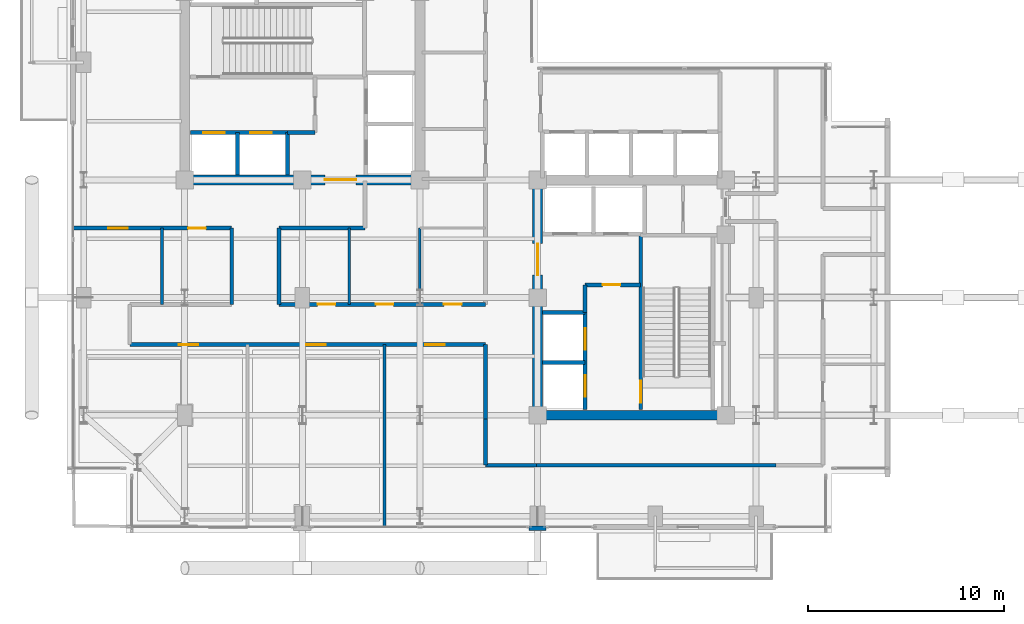
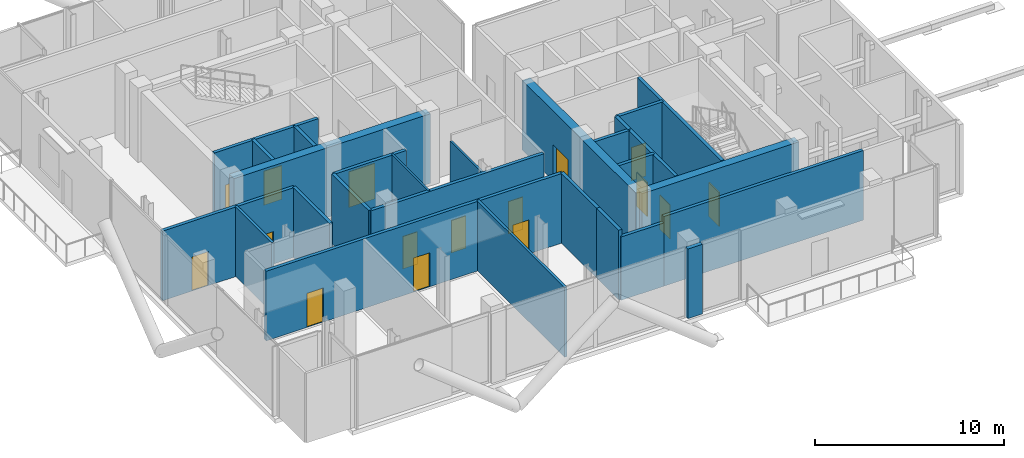
# One storey, part 17 of 22: 28 walls, 16 doors, 16 openings.
"""IFC4 building model written with IfcOpenShell, lengths in metres."""

from ifc_helpers import new_model, si_unit, direction, frame, frame_2d, origin, place, context, subcontext, project, spatial, rectangle, extrude, material, layer, layer_set, type_object, element, fill, save


model = new_model("IFC4")

# Units and contexts
model_context = context("Model", 3, precision=1e-05, world=origin(), true_north=direction((0.0, 1.0)))
body_context = subcontext(model_context, "Body", "Model", "MODEL_VIEW")
ifc_project = project(units=[si_unit("LENGTHUNIT", "METRE"), si_unit("AREAUNIT", "SQUARE_METRE"), si_unit("VOLUMEUNIT", "CUBIC_METRE"), si_unit("PLANEANGLEUNIT", "RADIAN"), si_unit("MASSUNIT", "GRAM", prefix="KILO"), si_unit("THERMODYNAMICTEMPERATUREUNIT", "KELVIN"), si_unit("POWERUNIT", "WATT")], contexts=[model_context])

# Site, building, storey
site_placement = place(None, origin())
site = spatial("IfcSite", under=ifc_project, at=site_placement, CompositionType="ELEMENT")
building_placement = place(site_placement, origin())
building = spatial("IfcBuilding", under=site, at=building_placement, Name="Svarakhadi Broadcast Tower", CompositionType="ELEMENT")
storey_placement = place(building_placement, frame((0.0, 0.0, 199.199951171875)))
storey = spatial("IfcBuildingStorey", under=building, at=storey_placement, Name="L49", CompositionType="ELEMENT", Elevation=199.199951171875)

# Walls
ifc_material_1 = material(Name="Concrete C40/50 (IS 456 M50)", Category="concrete")
ifc_layer_1 = layer(ifc_material_1, 0.239990234375)
ifc_layer_set_1 = layer_set([ifc_layer_1], Name="Concrete C40/50 (IS 456 M50)")
wall_type_1 = type_object("IfcWallType", Name="Wall_Ext_240", PredefinedType="SOLIDWALL", material=ifc_layer_set_1)
wall_1_placement = place(storey_placement, frame((24.43994140625, 0.239990234375, 0.0), z_axis=(0.0, 0.0, 1.0), x_axis=(-1.0, 0.0, 0.0)))
element("IfcWall", 1, at=wall_1_placement, inside=storey, type_object=wall_type_1, Name="L49 Perimeter Bronze Spandrel Closure Wall 03", PredefinedType="SOLIDWALL", context=body_context, shape_type="SweptSolid", body=[
    extrude(rectangle(XDim=0.8798828125, YDim=0.239990234375, at=frame_2d((0.43994140625, 0.0))), origin(), (0.0, 0.0, 1.0), 4.5),
])
ifc_layer_2 = layer(ifc_material_1, 0.199951171875)
ifc_layer_set_2 = layer_set([ifc_layer_2], Name="Concrete C40/50 (IS 456 M50)")
wall_type_2 = type_object("IfcWallType", Name="Wall_Fire_200", PredefinedType="SOLIDWALL", material=ifc_layer_set_2)
wall_2_placement = place(storey_placement, frame((36.14990234375, 3.449951171875, 0.0), z_axis=(0.0, 0.0, 1.0), x_axis=(-1.0, 0.0, 0.0)))
element("IfcWall", 2, at=wall_2_placement, inside=storey, type_object=wall_type_2, Name="L49 Zone 2/3 Corridor Wall", PredefinedType="SOLIDWALL", context=body_context, shape_type="SweptSolid", body=[
    extrude(rectangle(XDim=12.199951171875, YDim=0.199951171875, at=frame_2d((6.10009765625, 0.0))), origin(), (0.0, 0.0, 1.0), 4.5),
])
wall_3_placement = place(storey_placement, frame((23.949951171875, 3.449951171875, 0.0), z_axis=(0.0, 0.0, 1.0), x_axis=(-1.0, 0.0, 0.0)))
element("IfcWall", 3, at=wall_3_placement, inside=storey, type_object=wall_type_2, Name="L49 Zone 2/3 Corridor Wall", PredefinedType="SOLIDWALL", context=body_context, shape_type="SweptSolid", body=[
    extrude(rectangle(XDim=2.599853515625, YDim=0.199951171875, at=frame_2d((1.2998046875, 0.0))), origin(), (0.0, 0.0, 1.0), 4.092041015625),
])
wall_4_placement = place(storey_placement, frame((21.35009765625, 3.449951171875, 0.0), z_axis=(0.0, 0.0, 1.0), x_axis=(0.0, 1.0, 0.0)))
element("IfcWall", 4, at=wall_4_placement, inside=storey, type_object=wall_type_2, Name="L49 Zone 2/3 Corridor Wall", PredefinedType="SOLIDWALL", context=body_context, shape_type="SweptSolid", body=[
    extrude(rectangle(XDim=2.35009765625, YDim=0.199951171875, at=frame_2d((1.175048828125, 0.0))), origin(), (0.0, 0.0, 1.0), 4.5),
])
wall_5_placement = place(storey_placement, frame((21.35009765625, 5.800048828125, 0.0), z_axis=(0.0, 0.0, 1.0), x_axis=(0.0, 1.0, 0.0)))
element("IfcWall", 5, at=wall_5_placement, inside=storey, type_object=wall_type_2, Name="L49 Zone 2/3 Corridor Wall", PredefinedType="SOLIDWALL", context=body_context, shape_type="SweptSolid", body=[
    extrude(rectangle(XDim=3.800048828125, YDim=0.199951171875, at=frame_2d((1.89990234375, 0.0))), origin(), (0.0, 0.0, 1.0), 4.5),
])

# Wall, openings, doors
wall_6_placement = place(storey_placement, frame((21.35009765625, 9.60009765625, 0.0), z_axis=(0.0, 0.0, 1.0), x_axis=(-1.0, 0.0, 0.0)))
wall_6 = element("IfcWall", 6, at=wall_6_placement, inside=storey, type_object=wall_type_2, Name="L49 Zone 2/3 Corridor Wall", PredefinedType="SOLIDWALL", context=body_context, shape_type="SweptSolid", body=[
    extrude(rectangle(XDim=18.150146484375, YDim=0.199951171875, at=frame_2d((9.0751953125, 0.0))), origin(), (0.0, 0.0, 1.0), 4.5),
])
opening_1_placement = place(wall_6_placement, frame((14.64990234375, 0.0, 0.0)))
opening_1 = element("IfcOpeningElement", 7, at=opening_1_placement, cuts=wall_6, Name="Opening D-08", PredefinedType="OPENING", context=body_context, shape_type="SweptSolid", body=[
    extrude(rectangle(XDim=1.0, YDim=2.199951171875, at=frame_2d((0.5, 1.10009765625))), frame((0.0, 0.10986328125, 0.0), z_axis=(0.0, -1.0, 0.0), x_axis=(1.0, 0.0, 0.0)), (0.0, 0.0, 1.0), 0.219970703125),
])
opening_2_placement = place(wall_6_placement, frame((8.14990234375, 0.0, 0.0)))
opening_2 = element("IfcOpeningElement", 8, at=opening_2_placement, cuts=wall_6, Name="Opening D-09", PredefinedType="OPENING", context=body_context, shape_type="SweptSolid", body=[
    extrude(rectangle(XDim=1.0, YDim=2.199951171875, at=frame_2d((0.5, 1.10009765625))), frame((0.0, 0.10986328125, 0.0), z_axis=(0.0, -1.0, 0.0), x_axis=(1.0, 0.0, 0.0)), (0.0, 0.0, 1.0), 0.219970703125),
])
opening_3_placement = place(wall_6_placement, frame((2.074951171875, 0.0, 0.0)))
opening_3 = element("IfcOpeningElement", 9, at=opening_3_placement, cuts=wall_6, Name="Opening D-08", PredefinedType="OPENING", context=body_context, shape_type="SweptSolid", body=[
    extrude(rectangle(XDim=1.0, YDim=2.199951171875, at=frame_2d((0.5, 1.10009765625))), frame((0.0, 0.10986328125, 0.0), z_axis=(0.0, -1.0, 0.0), x_axis=(1.0, 0.0, 0.0)), (0.0, 0.0, 1.0), 0.219970703125),
])
ifc_material_2 = material(Name="Solid-Core Teak Veneer Acoustic Timber Leaf", Category="wood")
door_type_1 = type_object("IfcDoorType", Name="Door_Suite_D08", OperationType="SINGLE_SWING_LEFT", PredefinedType="DOOR", material=ifc_material_2)
door_1_placement = place(opening_1_placement, origin())
door_1 = element("IfcDoor", 10, at=door_1_placement, inside=storey, type_object=door_type_1, Name="L49 L49 Upper Sky-Lobby Harbour Observation Lounge Door", OperationType="SINGLE_SWING_LEFT", OverallHeight=2.199951171875, OverallWidth=1.0, PredefinedType="DOOR", context=body_context, shape_type="SweptSolid", body=[
    extrude(rectangle(XDim=1.0, YDim=2.199951171875, at=frame_2d((0.5, 1.10009765625))), frame((0.0, 0.02490234375, 0.0), z_axis=(0.0, -1.0, 0.0), x_axis=(1.0, 0.0, 0.0)), (0.0, 0.0, 1.0), 0.050048828125),
])
fill(opening_1, door_1)
door_2_placement = place(opening_3_placement, origin())
door_2 = element("IfcDoor", 11, at=door_2_placement, inside=storey, type_object=door_type_1, Name="L49 L49 Restaurant Culinary Kitchen Door", OperationType="SINGLE_SWING_LEFT", OverallHeight=2.199951171875, OverallWidth=1.0, PredefinedType="DOOR", context=body_context, shape_type="SweptSolid", body=[
    extrude(rectangle(XDim=1.0, YDim=2.199951171875, at=frame_2d((0.5, 1.10009765625))), frame((0.0, 0.02490234375, 0.0), z_axis=(0.0, -1.0, 0.0), x_axis=(1.0, 0.0, 0.0)), (0.0, 0.0, 1.0), 0.050048828125),
])
fill(opening_3, door_2)
door_type_2 = type_object("IfcDoorType", Name="Door_Suite_D09", OperationType="SINGLE_SWING_RIGHT", PredefinedType="DOOR", material=ifc_material_2)
door_3_placement = place(opening_2_placement, origin())
door_3 = element("IfcDoor", 12, at=door_3_placement, inside=storey, type_object=door_type_2, Name="L49 L49 Horizon Fine Dining Restaurant Door", OperationType="SINGLE_SWING_RIGHT", OverallHeight=2.199951171875, OverallWidth=1.0, PredefinedType="DOOR", context=body_context, shape_type="SweptSolid", body=[
    extrude(rectangle(XDim=1.0, YDim=2.199951171875, at=frame_2d((0.5, 1.10009765625))), frame((0.0, 0.02490234375, 0.0), z_axis=(0.0, -1.0, 0.0), x_axis=(1.0, 0.0, 0.0)), (0.0, 0.0, 1.0), 0.050048828125),
])
fill(opening_2, door_3)

# Wall
wall_7_placement = place(storey_placement, frame((8.39990234375, 11.64990234375, 0.0), z_axis=(0.0, 0.0, 1.0), x_axis=(0.0, 1.0, 0.0)))
element("IfcWall", 13, at=wall_7_placement, inside=storey, type_object=wall_type_2, Name="L49 Zone 2/3 Corridor Wall", PredefinedType="SOLIDWALL", context=body_context, shape_type="SweptSolid", body=[
    extrude(rectangle(XDim=3.900146484375, YDim=0.199951171875, at=frame_2d((1.9501953125, 0.0))), origin(), (0.0, 0.0, 1.0), 4.5),
])

# Wall, openings, doors
wall_8_placement = place(storey_placement, frame((8.39990234375, 15.550048828125, 0.0), z_axis=(0.0, 0.0, 1.0), x_axis=(-1.0, 0.0, 0.0)))
wall_8 = element("IfcWall", 14, at=wall_8_placement, inside=storey, type_object=wall_type_2, Name="L49 Zone 2/3 Corridor Wall", PredefinedType="SOLIDWALL", context=body_context, shape_type="SweptSolid", body=[
    extrude(rectangle(XDim=8.099853515625, YDim=0.199951171875, at=frame_2d((4.0498046875, 0.0))), origin(), (0.0, 0.0, 1.0), 4.5),
])
opening_4_placement = place(wall_8_placement, frame((5.300048828125, 0.0, 0.0)))
opening_4 = element("IfcOpeningElement", 15, at=opening_4_placement, cuts=wall_8, Name="Opening D-09", PredefinedType="OPENING", context=body_context, shape_type="SweptSolid", body=[
    extrude(rectangle(XDim=1.0, YDim=2.199951171875, at=frame_2d((0.5, 1.10009765625))), frame((0.0, 0.10986328125, 0.0), z_axis=(0.0, -1.0, 0.0), x_axis=(1.0, 0.0, 0.0)), (0.0, 0.0, 1.0), 0.219970703125),
])
opening_5_placement = place(wall_8_placement, frame((1.324951171875, 0.0, 0.0)))
opening_5 = element("IfcOpeningElement", 16, at=opening_5_placement, cuts=wall_8, Name="Opening D-12", PredefinedType="OPENING", context=body_context, shape_type="SweptSolid", body=[
    extrude(rectangle(XDim=0.89990234375, YDim=2.10009765625, at=frame_2d((0.449951171875, 1.050048828125))), frame((0.0, 0.10986328125, 0.0), z_axis=(0.0, -1.0, 0.0), x_axis=(1.0, 0.0, 0.0)), (0.0, 0.0, 1.0), 0.219970703125),
])
door_4_placement = place(opening_4_placement, origin())
door_4 = element("IfcDoor", 17, at=door_4_placement, inside=storey, type_object=door_type_2, Name="L49 L49 Sunset Cocktail Salon Door", OperationType="SINGLE_SWING_RIGHT", OverallHeight=2.199951171875, OverallWidth=1.0, PredefinedType="DOOR", context=body_context, shape_type="SweptSolid", body=[
    extrude(rectangle(XDim=1.0, YDim=2.199951171875, at=frame_2d((0.5, 1.10009765625))), frame((0.0, 0.02490234375, 0.0), z_axis=(0.0, -1.0, 0.0), x_axis=(1.0, 0.0, 0.0)), (0.0, 0.0, 1.0), 0.050048828125),
])
fill(opening_4, door_4)
door_type_3 = type_object("IfcDoorType", Name="Door_WC_D01", OperationType="SINGLE_SWING_LEFT", PredefinedType="DOOR", material=ifc_material_2)
door_5_placement = place(opening_5_placement, origin())
door_5 = element("IfcDoor", 18, at=door_5_placement, inside=storey, type_object=door_type_3, Name="L49 L49 Accessible Sky-Lobby Washroom WC Door", OperationType="SINGLE_SWING_LEFT", OverallHeight=2.10009765625, OverallWidth=0.89990234375, PredefinedType="DOOR", context=body_context, shape_type="SweptSolid", body=[
    extrude(rectangle(XDim=0.89990234375, YDim=2.10009765625, at=frame_2d((0.449951171875, 1.050048828125))), frame((0.0, 0.02490234375, 0.0), z_axis=(0.0, -1.0, 0.0), x_axis=(1.0, 0.0, 0.0)), (0.0, 0.0, 1.0), 0.050048828125),
])
fill(opening_5, door_5)

# Walls
wall_9_placement = place(storey_placement, frame((15.199951171875, 15.550048828125, 0.0), z_axis=(0.0, 0.0, 1.0), x_axis=(-1.0, 0.0, 0.0)))
element("IfcWall", 19, at=wall_9_placement, inside=storey, type_object=wall_type_2, Name="L49 Zone 2/3 Corridor Wall", PredefinedType="SOLIDWALL", context=body_context, shape_type="SweptSolid", body=[
    extrude(rectangle(XDim=4.39990234375, YDim=0.199951171875, at=frame_2d((2.199951171875, 0.0))), origin(), (0.0, 0.0, 1.0), 4.5),
])
wall_10_placement = place(storey_placement, frame((10.800048828125, 15.550048828125, 0.0), z_axis=(0.0, 0.0, 1.0), x_axis=(0.0, -1.0, 0.0)))
element("IfcWall", 20, at=wall_10_placement, inside=storey, type_object=wall_type_2, Name="L49 Zone 2/3 Corridor Wall", PredefinedType="SOLIDWALL", context=body_context, shape_type="SweptSolid", body=[
    extrude(rectangle(XDim=3.900146484375, YDim=0.199951171875, at=frame_2d((1.9501953125, 0.0))), origin(), (0.0, 0.0, 1.0), 4.5),
])

# Wall, openings, doors
wall_11_placement = place(storey_placement, frame((10.800048828125, 11.64990234375, 0.0), z_axis=(0.0, 0.0, 1.0), x_axis=(1.0, 0.0, 0.0)))
wall_11 = element("IfcWall", 21, at=wall_11_placement, inside=storey, type_object=wall_type_2, Name="L49 Zone 2/3 Corridor Wall", PredefinedType="SOLIDWALL", context=body_context, shape_type="SweptSolid", body=[
    extrude(rectangle(XDim=10.550048828125, YDim=0.199951171875, at=frame_2d((5.27490234375, 0.0))), origin(), (0.0, 0.0, 1.0), 4.5),
])
opening_6_placement = place(wall_11_placement, frame((1.97998046875, 0.0, 0.0)))
opening_6 = element("IfcOpeningElement", 22, at=opening_6_placement, cuts=wall_11, Name="Opening D-15", PredefinedType="OPENING", context=body_context, shape_type="SweptSolid", body=[
    extrude(rectangle(XDim=0.89990234375, YDim=2.10009765625, at=frame_2d((0.449951171875, 1.050048828125))), frame((0.0, 0.10986328125, 0.0), z_axis=(0.0, -1.0, 0.0), x_axis=(1.0, 0.0, 0.0)), (0.0, 0.0, 1.0), 0.219970703125),
])
opening_7_placement = place(wall_11_placement, frame((4.949951171875, 0.0, 0.0)))
opening_7 = element("IfcOpeningElement", 23, at=opening_7_placement, cuts=wall_11, Name="Opening D-12", PredefinedType="OPENING", context=body_context, shape_type="SweptSolid", body=[
    extrude(rectangle(XDim=0.89990234375, YDim=2.10009765625, at=frame_2d((0.449951171875, 1.050048828125))), frame((0.0, 0.10986328125, 0.0), z_axis=(0.0, -1.0, 0.0), x_axis=(1.0, 0.0, 0.0)), (0.0, 0.0, 1.0), 0.219970703125),
])
opening_8_placement = place(wall_11_placement, frame((8.425048828125, 0.0, 0.0)))
opening_8 = element("IfcOpeningElement", 24, at=opening_8_placement, cuts=wall_11, Name="Opening D-13", PredefinedType="OPENING", context=body_context, shape_type="SweptSolid", body=[
    extrude(rectangle(XDim=0.89990234375, YDim=2.10009765625, at=frame_2d((0.449951171875, 1.050048828125))), frame((0.0, 0.10986328125, 0.0), z_axis=(0.0, -1.0, 0.0), x_axis=(1.0, 0.0, 0.0)), (0.0, 0.0, 1.0), 0.219970703125),
])
door_type_4 = type_object("IfcDoorType", Name="Door_Closet_D13", OperationType="SINGLE_SWING_RIGHT", PredefinedType="DOOR", material=ifc_material_2)
door_6_placement = place(opening_8_placement, origin())
door_6 = element("IfcDoor", 25, at=door_6_placement, inside=storey, type_object=door_type_4, Name="L49 Accessible Floor Washroom WC Door", OperationType="SINGLE_SWING_RIGHT", OverallHeight=2.10009765625, OverallWidth=0.89990234375, PredefinedType="DOOR", context=body_context, shape_type="SweptSolid", body=[
    extrude(rectangle(XDim=0.89990234375, YDim=2.10009765625, at=frame_2d((0.449951171875, 1.050048828125))), frame((0.0, 0.02490234375, 0.0), z_axis=(0.0, -1.0, 0.0), x_axis=(1.0, 0.0, 0.0)), (0.0, 0.0, 1.0), 0.050048828125),
])
fill(opening_8, door_6)
door_type_5 = type_object("IfcDoorType", Name="Door_Int_D15", OperationType="SINGLE_SWING_RIGHT", PredefinedType="DOOR", material=ifc_material_2)
door_7_placement = place(opening_6_placement, origin())
door_7 = element("IfcDoor", 26, at=door_7_placement, inside=storey, type_object=door_type_5, Name="L49 Acoustic Huddle Booth Door", OperationType="SINGLE_SWING_RIGHT", OverallHeight=2.10009765625, OverallWidth=0.89990234375, PredefinedType="DOOR", context=body_context, shape_type="SweptSolid", body=[
    extrude(rectangle(XDim=0.89990234375, YDim=2.10009765625, at=frame_2d((0.449951171875, 1.050048828125))), frame((0.0, 0.02490234375, 0.0), z_axis=(0.0, -1.0, 0.0), x_axis=(1.0, 0.0, 0.0)), (0.0, 0.0, 1.0), 0.050048828125),
])
fill(opening_6, door_7)
door_8_placement = place(opening_7_placement, origin())
door_8 = element("IfcDoor", 27, at=door_8_placement, inside=storey, type_object=door_type_3, Name="L49 Tea Bar Pantry Door", OperationType="SINGLE_SWING_LEFT", OverallHeight=2.10009765625, OverallWidth=0.89990234375, PredefinedType="DOOR", context=body_context, shape_type="SweptSolid", body=[
    extrude(rectangle(XDim=0.89990234375, YDim=2.10009765625, at=frame_2d((0.449951171875, 1.050048828125))), frame((0.0, 0.02490234375, 0.0), z_axis=(0.0, -1.0, 0.0), x_axis=(1.0, 0.0, 0.0)), (0.0, 0.0, 1.0), 0.050048828125),
])
fill(opening_7, door_8)

# Walls
ifc_material_3 = material(Name="Fire-Rated Moisture-Resistant Gypsum Board Partition", Category="gypsum")
ifc_layer_3 = layer(ifc_material_3, 0.125)
ifc_layer_set_3 = layer_set([ifc_layer_3], Name="Fire-Rated Moisture-Resistant Gypsum Board Partition")
wall_type_3 = type_object("IfcWallType", Name="Wall_Part_125", PredefinedType="PARTITIONING", material=ifc_layer_set_3)
wall_12_placement = place(storey_placement, frame((14.39990234375, 11.64990234375, 0.0), z_axis=(0.0, 0.0, 1.0), x_axis=(0.0, 1.0, 0.0)))
element("IfcWall", 28, at=wall_12_placement, inside=storey, type_object=wall_type_3, Name="L49 Acoustic Huddle Booth Wall", PredefinedType="PARTITIONING", context=body_context, shape_type="SweptSolid", body=[
    extrude(rectangle(XDim=3.900146484375, YDim=0.125, at=frame_2d((1.9501953125, 0.0))), origin(), (0.0, 0.0, 1.0), 4.5),
])
wall_13_placement = place(storey_placement, frame((18.0, 11.64990234375, 0.0), z_axis=(0.0, 0.0, 1.0), x_axis=(0.0, 1.0, 0.0)))
element("IfcWall", 29, at=wall_13_placement, inside=storey, type_object=wall_type_3, Name="L49 Tea Bar Pantry Wall", PredefinedType="PARTITIONING", context=body_context, shape_type="SweptSolid", body=[
    extrude(rectangle(XDim=3.900146484375, YDim=0.125, at=frame_2d((1.9501953125, 0.0))), origin(), (0.0, 0.0, 1.0), 4.092041015625),
])
ifc_material_4 = material(Name="Autoclaved Aerated Concrete Blockwork 150 mm", Category="masonry")
ifc_layer_4 = layer(ifc_material_4, 0.14990234375)
ifc_layer_set_4 = layer_set([ifc_layer_4], Name="Autoclaved Aerated Concrete Blockwork 150 mm")
wall_type_4 = type_object("IfcWallType", Name="Wall_Part_150", PredefinedType="PARTITIONING", material=ifc_layer_set_4)
wall_14_placement = place(storey_placement, frame((16.199951171875, 0.300048828125, 0.0), z_axis=(0.0, 0.0, 1.0), x_axis=(0.0, 1.0, 0.0)))
element("IfcWall", 30, at=wall_14_placement, inside=storey, type_object=wall_type_4, Name="L49 L49 Horizon Fine Dining Restaurant Wall", PredefinedType="PARTITIONING", context=body_context, shape_type="SweptSolid", body=[
    extrude(rectangle(XDim=9.300048828125, YDim=0.14990234375, at=frame_2d((4.64990234375, 0.0))), origin(), (0.0, 0.0, 1.0), 4.5),
])
wall_15_placement = place(storey_placement, frame((4.85009765625, 11.64990234375, 0.0), z_axis=(0.0, 0.0, 1.0), x_axis=(0.0, 1.0, 0.0)))
element("IfcWall", 31, at=wall_15_placement, inside=storey, type_object=wall_type_4, Name="L49 L49 Sunset Cocktail Salon Wall", PredefinedType="PARTITIONING", context=body_context, shape_type="SweptSolid", body=[
    extrude(rectangle(XDim=3.900146484375, YDim=0.14990234375, at=frame_2d((1.9501953125, 0.0))), origin(), (0.0, 0.0, 1.0), 4.5),
])

# Wall, opening, door
ifc_material_5 = material(Name="Concrete C50/60 (IS 456 M60)", Category="concrete")
ifc_layer_5 = layer(ifc_material_5, 0.199951171875)
ifc_layer_set_5 = layer_set([ifc_layer_5], Name="Concrete C50/60 (IS 456 M60)")
wall_type_5 = type_object("IfcWallType", Name="Wall_Shear_200", PredefinedType="SHEAR", material=ifc_layer_set_5)
wall_16_placement = place(storey_placement, frame((29.260009765625, 6.300048828125, 0.0), z_axis=(0.0, 0.0, 1.0), x_axis=(0.0, 1.0, 0.0)))
wall_16 = element("IfcWall", 32, at=wall_16_placement, inside=storey, type_object=wall_type_5, Name="L49 Stair ST-02 West RC Shaft Wall", PredefinedType="SHEAR", context=body_context, shape_type="SweptSolid", body=[
    extrude(rectangle(XDim=8.8798828125, YDim=0.199951171875, at=frame_2d((4.43994140625, 0.0))), origin(), (0.0, 0.0, 1.0), 4.5),
])
opening_9_placement = place(wall_16_placement, frame((0.35009765625, 0.0, 0.0)))
opening_9 = element("IfcOpeningElement", 33, at=opening_9_placement, cuts=wall_16, Name="Opening D-02", PredefinedType="OPENING", context=body_context, shape_type="SweptSolid", body=[
    extrude(rectangle(XDim=1.10009765625, YDim=2.199951171875, at=frame_2d((0.550048828125, 1.10009765625))), frame((0.0, 0.10986328125, 0.0), z_axis=(0.0, -1.0, 0.0), x_axis=(1.0, 0.0, 0.0)), (0.0, 0.0, 1.0), 0.219970703125),
])
ifc_material_6 = material(Name="Galvanised Powder-Coated Fire-Rated Steel Leaf", Category="steel")
door_type_6 = type_object("IfcDoorType", Name="Door_Stair_D02", OperationType="SINGLE_SWING_RIGHT", PredefinedType="DOOR", material=ifc_material_6)
door_9_placement = place(opening_9_placement, origin())
door_9 = element("IfcDoor", 34, at=door_9_placement, inside=storey, type_object=door_type_6, Name="L49 Protected Exit Stair ST-02 Fire Door", OperationType="SINGLE_SWING_RIGHT", OverallHeight=2.199951171875, OverallWidth=1.10009765625, PredefinedType="DOOR", context=body_context, shape_type="SweptSolid", body=[
    extrude(rectangle(XDim=1.10009765625, YDim=2.199951171875, at=frame_2d((0.550048828125, 1.10009765625))), frame((0.0, 0.02490234375, 0.0), z_axis=(0.0, -1.0, 0.0), x_axis=(1.0, 0.0, 0.0)), (0.0, 0.0, 1.0), 0.050048828125),
])
fill(opening_9, door_9)

# Wall, openings, doors
wall_17_placement = place(storey_placement, frame((6.300048828125, 20.419921875, 0.0), z_axis=(0.0, 0.0, 1.0), x_axis=(1.0, 0.0, 0.0)))
wall_17 = element("IfcWall", 35, at=wall_17_placement, inside=storey, type_object=wall_type_5, Name="L49 Firefighting Lift LF-01/02 Shaft Wall", PredefinedType="SHEAR", context=body_context, shape_type="SweptSolid", body=[
    extrude(rectangle(XDim=4.949951171875, YDim=0.199951171875, at=frame_2d((2.47509765625, 0.0))), origin(), (0.0, 0.0, 1.0), 4.5),
])
opening_10_placement = place(wall_17_placement, frame((0.64990234375, 0.0, 0.0)))
opening_10 = element("IfcOpeningElement", 36, at=opening_10_placement, cuts=wall_17, Name="Opening LD-01", PredefinedType="OPENING", context=body_context, shape_type="SweptSolid", body=[
    extrude(rectangle(XDim=1.10009765625, YDim=2.199951171875, at=frame_2d((0.550048828125, 1.10009765625))), frame((0.0, 0.10986328125, 0.0), z_axis=(0.0, -1.0, 0.0), x_axis=(1.0, 0.0, 0.0)), (0.0, 0.0, 1.0), 0.219970703125),
])
opening_11_placement = place(wall_17_placement, frame((3.050048828125, 0.0, 0.0)))
opening_11 = element("IfcOpeningElement", 37, at=opening_11_placement, cuts=wall_17, Name="Opening LD-01", PredefinedType="OPENING", context=body_context, shape_type="SweptSolid", body=[
    extrude(rectangle(XDim=1.10009765625, YDim=2.199951171875, at=frame_2d((0.550048828125, 1.10009765625))), frame((0.0, 0.10986328125, 0.0), z_axis=(0.0, -1.0, 0.0), x_axis=(1.0, 0.0, 0.0)), (0.0, 0.0, 1.0), 0.219970703125),
])
door_type_7 = type_object("IfcDoorType", Name="Door_Lift_LD01", OperationType="SLIDING_TO_LEFT", PredefinedType="DOOR", material=ifc_material_6)
door_10_placement = place(opening_10_placement, origin())
door_10 = element("IfcDoor", 38, at=door_10_placement, inside=storey, type_object=door_type_7, Name="L49 Firefighting Lift LF-01 Landing Door", OperationType="SLIDING_TO_LEFT", OverallHeight=2.199951171875, OverallWidth=1.10009765625, PredefinedType="DOOR", context=body_context, shape_type="SweptSolid", body=[
    extrude(rectangle(XDim=1.10009765625, YDim=2.199951171875, at=frame_2d((0.550048828125, 1.10009765625))), frame((0.0, 0.02490234375, 0.0), z_axis=(0.0, -1.0, 0.0), x_axis=(1.0, 0.0, 0.0)), (0.0, 0.0, 1.0), 0.050048828125),
])
fill(opening_10, door_10)
door_11_placement = place(opening_11_placement, origin())
door_11 = element("IfcDoor", 39, at=door_11_placement, inside=storey, type_object=door_type_7, Name="L49 Firefighting Lift LF-02 Landing Door", OperationType="SLIDING_TO_LEFT", OverallHeight=2.199951171875, OverallWidth=1.10009765625, PredefinedType="DOOR", context=body_context, shape_type="SweptSolid", body=[
    extrude(rectangle(XDim=1.10009765625, YDim=2.199951171875, at=frame_2d((0.550048828125, 1.10009765625))), frame((0.0, 0.02490234375, 0.0), z_axis=(0.0, -1.0, 0.0), x_axis=(1.0, 0.0, 0.0)), (0.0, 0.0, 1.0), 0.050048828125),
])
fill(opening_11, door_11)

# Walls
for number, where, z_axis, x_axis, name in (
    (40, (8.699951171875, 18.25, 0.0), (0.0, 0.0, 1.0), (0.0, 1.0, 0.0), "L49 Firefighting Lift LF-01/02 Divider Wall"),
    (41, (11.25, 18.25, 0.0), (0.0, 0.0, 1.0), (0.0, 1.0, 0.0), "L49 Firefighting Lift LF-02 East Wall"),
):
    element("IfcWall", number, at=place(storey_placement, frame(where, z_axis=z_axis, x_axis=x_axis)), inside=storey, type_object=wall_type_5, Name=name, PredefinedType="SHEAR", context=body_context, shape_type="SweptSolid", body=[
        extrude(rectangle(XDim=2.169921875, YDim=0.199951171875, at=frame_2d((1.0849609375, 0.0))), origin(), (0.0, 0.0, 1.0), 4.5),
    ])
wall_18_placement = place(storey_placement, frame((11.25, 20.419921875, 0.0), z_axis=(0.0, 0.0, 1.0), x_axis=(1.0, 0.0, 0.0)))
element("IfcWall", 42, at=wall_18_placement, inside=storey, type_object=wall_type_5, Name="L49 West Firefighting Lobby South Wall", PredefinedType="SHEAR", context=body_context, shape_type="SweptSolid", body=[
    extrude(rectangle(XDim=1.39990234375, YDim=0.199951171875, at=frame_2d((0.699951171875, 0.0))), origin(), (0.0, 0.0, 1.0), 4.5),
])

# Wall, openings, doors
wall_19_placement = place(storey_placement, frame((26.419921875, 6.300048828125, 0.0), z_axis=(0.0, 0.0, 1.0), x_axis=(0.0, 1.0, 0.0)))
wall_19 = element("IfcWall", 43, at=wall_19_placement, inside=storey, type_object=wall_type_5, Name="L49 Firefighting Lift LF-03/04 Shaft Wall", PredefinedType="SHEAR", context=body_context, shape_type="SweptSolid", body=[
    extrude(rectangle(XDim=4.949951171875, YDim=0.199951171875, at=frame_2d((2.47509765625, 0.0))), origin(), (0.0, 0.0, 1.0), 4.5),
])
opening_12_placement = place(wall_19_placement, frame((0.64990234375, 0.0, 0.0)))
opening_12 = element("IfcOpeningElement", 44, at=opening_12_placement, cuts=wall_19, Name="Opening LD-01", PredefinedType="OPENING", context=body_context, shape_type="SweptSolid", body=[
    extrude(rectangle(XDim=1.10009765625, YDim=2.199951171875, at=frame_2d((0.550048828125, 1.10009765625))), frame((0.0, 0.10986328125, 0.0), z_axis=(0.0, -1.0, 0.0), x_axis=(1.0, 0.0, 0.0)), (0.0, 0.0, 1.0), 0.219970703125),
])
opening_13_placement = place(wall_19_placement, frame((3.050048828125, 0.0, 0.0)))
opening_13 = element("IfcOpeningElement", 45, at=opening_13_placement, cuts=wall_19, Name="Opening LD-01", PredefinedType="OPENING", context=body_context, shape_type="SweptSolid", body=[
    extrude(rectangle(XDim=1.10009765625, YDim=2.199951171875, at=frame_2d((0.550048828125, 1.10009765625))), frame((0.0, 0.10986328125, 0.0), z_axis=(0.0, -1.0, 0.0), x_axis=(1.0, 0.0, 0.0)), (0.0, 0.0, 1.0), 0.219970703125),
])
door_12_placement = place(opening_12_placement, origin())
door_12 = element("IfcDoor", 46, at=door_12_placement, inside=storey, type_object=door_type_7, Name="L49 Firefighting Lift LF-03 Landing Door", OperationType="SLIDING_TO_LEFT", OverallHeight=2.199951171875, OverallWidth=1.10009765625, PredefinedType="DOOR", context=body_context, shape_type="SweptSolid", body=[
    extrude(rectangle(XDim=1.10009765625, YDim=2.199951171875, at=frame_2d((0.550048828125, 1.10009765625))), frame((0.0, 0.02490234375, 0.0), z_axis=(0.0, -1.0, 0.0), x_axis=(1.0, 0.0, 0.0)), (0.0, 0.0, 1.0), 0.050048828125),
])
fill(opening_12, door_12)
door_13_placement = place(opening_13_placement, origin())
door_13 = element("IfcDoor", 47, at=door_13_placement, inside=storey, type_object=door_type_7, Name="L49 Firefighting Lift LF-04 Landing Door", OperationType="SLIDING_TO_LEFT", OverallHeight=2.199951171875, OverallWidth=1.10009765625, PredefinedType="DOOR", context=body_context, shape_type="SweptSolid", body=[
    extrude(rectangle(XDim=1.10009765625, YDim=2.199951171875, at=frame_2d((0.550048828125, 1.10009765625))), frame((0.0, 0.02490234375, 0.0), z_axis=(0.0, -1.0, 0.0), x_axis=(1.0, 0.0, 0.0)), (0.0, 0.0, 1.0), 0.050048828125),
])
fill(opening_13, door_13)

# Walls
for number, where, z_axis, x_axis, name in (
    (48, (24.25, 8.699951171875, 0.0), (0.0, 0.0, 1.0), (1.0, 0.0, 0.0), "L49 Firefighting Lift LF-03/04 Divider Wall"),
    (49, (24.25, 11.25, 0.0), (0.0, 0.0, 1.0), (1.0, 0.0, 0.0), "L49 Firefighting Lift LF-04 North Wall"),
):
    element("IfcWall", number, at=place(storey_placement, frame(where, z_axis=z_axis, x_axis=x_axis)), inside=storey, type_object=wall_type_5, Name=name, PredefinedType="SHEAR", context=body_context, shape_type="SweptSolid", body=[
        extrude(rectangle(XDim=2.169921875, YDim=0.199951171875, at=frame_2d((1.0849609375, 0.0))), origin(), (0.0, 0.0, 1.0), 4.5),
    ])
wall_20_placement = place(storey_placement, frame((26.419921875, 11.25, 0.0), z_axis=(0.0, 0.0, 1.0), x_axis=(0.0, 1.0, 0.0)))
element("IfcWall", 50, at=wall_20_placement, inside=storey, type_object=wall_type_5, Name="L49 East Firefighting Lobby West Wall", PredefinedType="SHEAR", context=body_context, shape_type="SweptSolid", body=[
    extrude(rectangle(XDim=1.39990234375, YDim=0.199951171875, at=frame_2d((0.699951171875, 0.0))), origin(), (0.0, 0.0, 1.0), 4.5),
])

# Wall, opening, door
wall_21_placement = place(storey_placement, frame((26.419921875, 12.64990234375, 0.0), z_axis=(0.0, 0.0, 1.0), x_axis=(1.0, 0.0, 0.0)))
wall_21 = element("IfcWall", 51, at=wall_21_placement, inside=storey, type_object=wall_type_5, Name="L49 East Firefighting Lobby North Wall", PredefinedType="SHEAR", context=body_context, shape_type="SweptSolid", body=[
    extrude(rectangle(XDim=2.840087890625, YDim=0.199951171875, at=frame_2d((1.419921875, 0.0))), origin(), (0.0, 0.0, 1.0), 4.5),
])
opening_14_placement = place(wall_21_placement, frame((0.89990234375, 0.0, 0.0)))
opening_14 = element("IfcOpeningElement", 52, at=opening_14_placement, cuts=wall_21, Name="Opening D-04", PredefinedType="OPENING", context=body_context, shape_type="SweptSolid", body=[
    extrude(rectangle(XDim=0.89990234375, YDim=2.14990234375, at=frame_2d((0.449951171875, 1.074951171875))), frame((0.0, 0.10986328125, 0.0), z_axis=(0.0, -1.0, 0.0), x_axis=(1.0, 0.0, 0.0)), (0.0, 0.0, 1.0), 0.219970703125),
])
door_type_8 = type_object("IfcDoorType", Name="Door_Fire_D04", OperationType="SINGLE_SWING_RIGHT", PredefinedType="DOOR", material=ifc_material_6)
door_14_placement = place(opening_14_placement, origin())
door_14 = element("IfcDoor", 53, at=door_14_placement, inside=storey, type_object=door_type_8, Name="L49 East Firefighting Lobby Fire Door", OperationType="SINGLE_SWING_RIGHT", OverallHeight=2.14990234375, OverallWidth=0.89990234375, PredefinedType="DOOR", context=body_context, shape_type="SweptSolid", body=[
    extrude(rectangle(XDim=0.89990234375, YDim=2.14990234375, at=frame_2d((0.449951171875, 1.074951171875))), frame((0.0, 0.02490234375, 0.0), z_axis=(0.0, -1.0, 0.0), x_axis=(1.0, 0.0, 0.0)), (0.0, 0.0, 1.0), 0.050048828125),
])
fill(opening_14, door_14)

ifc_layer_6 = layer(ifc_material_5, 0.5)
ifc_layer_set_6 = layer_set([ifc_layer_6], Name="Concrete C50/60 (IS 456 M60)")
wall_type_6 = type_object("IfcWallType", Name="Wall_Shear_500", PredefinedType="SHEAR", material=ifc_layer_set_6)
wall_22_placement = place(storey_placement, frame((6.0, 18.0, 0.0), z_axis=(0.0, 0.0, 1.0), x_axis=(1.0, 0.0, 0.0)))
wall_22 = element("IfcWall", 54, at=wall_22_placement, inside=storey, type_object=wall_type_6, Name="L49 West Core South Shear Wall", PredefinedType="SHEAR", context=body_context, shape_type="SweptSolid", body=[
    extrude(rectangle(XDim=12.0, YDim=0.5, at=frame_2d((6.0, 0.0))), origin(), (0.0, 0.0, 1.0), 4.5),
])
opening_15_placement = place(wall_22_placement, frame((7.14990234375, 0.0, 0.0)))
opening_15 = element("IfcOpeningElement", 55, at=opening_15_placement, cuts=wall_22, Name="Opening D-05", PredefinedType="OPENING", context=body_context, shape_type="SweptSolid", body=[
    extrude(rectangle(XDim=1.60009765625, YDim=2.300048828125, at=frame_2d((0.800048828125, 1.14990234375))), frame((0.0, 0.260009765625, 0.0), z_axis=(0.0, -1.0, 0.0), x_axis=(1.0, 0.0, 0.0)), (0.0, 0.0, 1.0), 0.52001953125),
])
ifc_material_7 = material(Name="Anodised Bronze Aluminium AA 6063-T6", Category="aluminium")
door_type_9 = type_object("IfcDoorType", Name="Door_Lobby_D05", OperationType="DOUBLE_DOOR_SLIDING", PredefinedType="DOOR", material=ifc_material_7)
door_15_placement = place(opening_15_placement, origin())
door_15 = element("IfcDoor", 56, at=door_15_placement, inside=storey, type_object=door_type_9, Name="L49 West Core Passenger Lift Lobby Entrance Door", OperationType="DOUBLE_DOOR_SLIDING", OverallHeight=2.300048828125, OverallWidth=1.60009765625, PredefinedType="DOOR", context=body_context, shape_type="SweptSolid", body=[
    extrude(rectangle(XDim=1.60009765625, YDim=2.300048828125, at=frame_2d((0.800048828125, 1.14990234375))), frame((0.0, 0.02490234375, 0.0), z_axis=(0.0, -1.0, 0.0), x_axis=(1.0, 0.0, 0.0)), (0.0, 0.0, 1.0), 0.050048828125),
])
fill(opening_15, door_15)

# Wall
wall_23_placement = place(storey_placement, frame((24.0, 6.0, 0.0), z_axis=(0.0, 0.0, 1.0), x_axis=(1.0, 0.0, 0.0)))
element("IfcWall", 57, at=wall_23_placement, inside=storey, type_object=wall_type_6, Name="L49 East Core South Shear Wall", PredefinedType="SHEAR", context=body_context, shape_type="SweptSolid", body=[
    extrude(rectangle(XDim=9.60009765625, YDim=0.5, at=frame_2d((4.800048828125, 0.0))), origin(), (0.0, 0.0, 1.0), 4.5),
])

# Wall, opening, door
wall_24_placement = place(storey_placement, frame((24.0, 6.0, 0.0), z_axis=(0.0, 0.0, 1.0), x_axis=(0.0, 1.0, 0.0)))
wall_24 = element("IfcWall", 58, at=wall_24_placement, inside=storey, type_object=wall_type_6, Name="L49 East Core West Shear Wall", PredefinedType="SHEAR", context=body_context, shape_type="SweptSolid", body=[
    extrude(rectangle(XDim=12.0, YDim=0.5, at=frame_2d((6.0, 0.0))), origin(), (0.0, 0.0, 1.0), 4.5),
])
opening_16_placement = place(wall_24_placement, frame((7.14990234375, 0.0, 0.0)))
opening_16 = element("IfcOpeningElement", 59, at=opening_16_placement, cuts=wall_24, Name="Opening D-05", PredefinedType="OPENING", context=body_context, shape_type="SweptSolid", body=[
    extrude(rectangle(XDim=1.60009765625, YDim=2.300048828125, at=frame_2d((0.800048828125, 1.14990234375))), frame((0.0, 0.260009765625, 0.0), z_axis=(0.0, -1.0, 0.0), x_axis=(1.0, 0.0, 0.0)), (0.0, 0.0, 1.0), 0.52001953125),
])
door_16_placement = place(opening_16_placement, origin())
door_16 = element("IfcDoor", 60, at=door_16_placement, inside=storey, type_object=door_type_9, Name="L49 East Core Passenger Lift Lobby Entrance Door", OperationType="DOUBLE_DOOR_SLIDING", OverallHeight=2.300048828125, OverallWidth=1.60009765625, PredefinedType="DOOR", context=body_context, shape_type="SweptSolid", body=[
    extrude(rectangle(XDim=1.60009765625, YDim=2.300048828125, at=frame_2d((0.800048828125, 1.14990234375))), frame((0.0, 0.02490234375, 0.0), z_axis=(0.0, -1.0, 0.0), x_axis=(1.0, 0.0, 0.0)), (0.0, 0.0, 1.0), 0.050048828125),
])
fill(opening_16, door_16)

save(model, "model.ifc")
